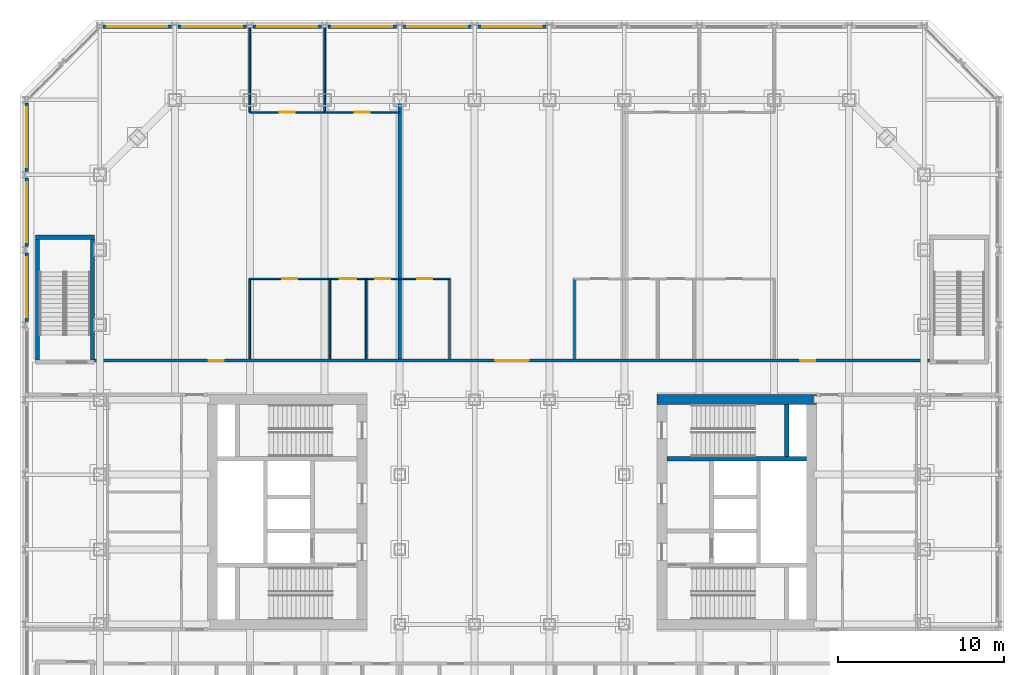
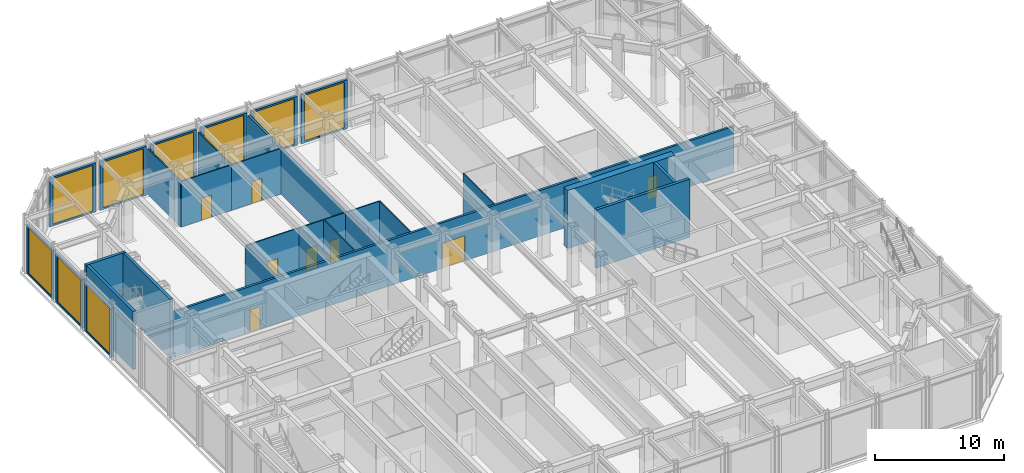
# One storey, part 14 of 19: 28 walls, 9 doors, 9 windows, 18 openings.
"""IFC4 building model written with IfcOpenShell, lengths in metres."""

from ifc_helpers import new_model, si_unit, direction, frame, frame_2d, origin, place, context, subcontext, project, spatial, rectangle, extrude, material, layer, layer_set, type_object, element, fill, save


model = new_model("IFC4")

# Units and contexts
model_context = context("Model", 3, precision=1e-05, world=origin(), true_north=direction((0.0, 1.0)))
body_context = subcontext(model_context, "Body", "Model", "MODEL_VIEW")
ifc_project = project(units=[si_unit("LENGTHUNIT", "METRE"), si_unit("AREAUNIT", "SQUARE_METRE"), si_unit("VOLUMEUNIT", "CUBIC_METRE"), si_unit("PLANEANGLEUNIT", "RADIAN"), si_unit("MASSUNIT", "GRAM", prefix="KILO")], contexts=[model_context])

# Site, building, storey
site_placement = place(None, origin())
site = spatial("IfcSite", under=ifc_project, at=site_placement, CompositionType="ELEMENT")
building_placement = place(site_placement, origin())
building = spatial("IfcBuilding", under=site, at=building_placement, Name="Msasa Ring Tower", CompositionType="ELEMENT")
storey_placement = place(building_placement, frame((0.0, 0.0, 16.0)))
storey = spatial("IfcBuildingStorey", under=building, at=storey_placement, Name="L03", CompositionType="ELEMENT", Elevation=16.0)

# Walls
ifc_material_1 = material(Name="Concrete C60/75", Category="concrete")
ifc_layer_1 = layer(ifc_material_1, 0.60009765625)
ifc_layer_set_1 = layer_set([ifc_layer_1], Name="CW1 CORE WALL 600")
wall_type_1 = type_object("IfcWallType", Name="CW1 CORE WALL 600", PredefinedType="SHEAR", material=ifc_layer_set_1)
wall_1_placement = place(storey_placement, frame((8.699951171875, 6.75, 0.0), z_axis=(0.0, 0.0, 1.0), x_axis=(1.0, 0.0, 0.0)))
element("IfcWall", 1, at=wall_1_placement, inside=storey, type_object=wall_type_1, Name="E core wall N L03", PredefinedType="SHEAR", context=body_context, shape_type="SweptSolid", body=[
    extrude(rectangle(XDim=9.60009765625, YDim=0.60009765625, at=frame_2d((4.800048828125, 0.0))), origin(), (0.0, 0.0, 1.0), 5.5),
])
ifc_material_2 = material(Name="Concrete C60/75", Category="concrete")
ifc_layer_2 = layer(ifc_material_2, 0.25)
ifc_layer_set_2 = layer_set([ifc_layer_2], Name="CW4 CORE INNER WALL 250")
wall_type_2 = type_object("IfcWallType", Name="CW4 CORE INNER WALL 250", PredefinedType="SHEAR", material=ifc_layer_set_2)
wall_2_placement = place(storey_placement, frame((9.300048828125, 3.199951171875, 0.0), z_axis=(0.0, 0.0, 1.0), x_axis=(1.0, 0.0, 0.0)))
element("IfcWall", 2, at=wall_2_placement, inside=storey, type_object=wall_type_2, Name="E core wall STAIRB L03", PredefinedType="SHEAR", context=body_context, shape_type="SweptSolid", body=[
    extrude(rectangle(XDim=8.39990234375, YDim=0.25, at=frame_2d((4.199951171875, 0.0))), origin(), (0.0, 0.0, 1.0), 5.5),
])
wall_3_placement = place(storey_placement, frame((16.5, 3.324951171875, 0.0), z_axis=(0.0, 0.0, 1.0), x_axis=(0.0, 1.0, 0.0)))
element("IfcWall", 3, at=wall_3_placement, inside=storey, type_object=wall_type_2, Name="E core wall RISERB L03", PredefinedType="SHEAR", context=body_context, shape_type="SweptSolid", body=[
    extrude(rectangle(XDim=3.125, YDim=0.25, at=frame_2d((1.5625, 0.0))), origin(), (0.0, 0.0, 1.0), 5.5),
])

# Wall, opening, window
ifc_material_3 = material(Name="Terracotta rainscreen on blockwork", Category="masonry")
ifc_layer_3 = layer(ifc_material_3, 0.199951171875)
ifc_layer_set_3 = layer_set([ifc_layer_3], Name="FW2 TERRACOTTA PODIUM BAY WALL 200")
wall_type_3 = type_object("IfcWallType", Name="FW2 TERRACOTTA PODIUM BAY WALL 200", PredefinedType="SOLIDWALL", material=ifc_layer_set_3)
wall_4_placement = place(storey_placement, frame((-24.562255859375, 29.14990234375, 0.0), z_axis=(0.0, 0.0, 1.0), x_axis=(1.0, 0.0, 0.0)))
wall_4 = element("IfcWall", 4, at=wall_4_placement, inside=storey, type_object=wall_type_3, Name="Podium bay wall N L03 26", PredefinedType="SOLIDWALL", context=body_context, shape_type="SweptSolid", body=[
    extrude(rectangle(XDim=4.12451171875, YDim=0.199951171875, at=frame_2d((2.062255859375, 0.0))), origin(), (0.0, 0.0, 1.0), 4.6328125),
])
opening_1_placement = place(wall_4_placement, frame((0.26220703125, 0.0, 0.14990234375)))
opening_1 = element("IfcOpeningElement", 5, at=opening_1_placement, cuts=wall_4, Name="Opening SF4", PredefinedType="OPENING", context=body_context, shape_type="SweptSolid", body=[
    extrude(rectangle(XDim=3.60009765625, YDim=4.3330078125, at=frame_2d((1.800048828125, 2.16650390625))), frame((0.0, 0.10986328125, 0.0), z_axis=(0.0, -1.0, 0.0), x_axis=(1.0, 0.0, 0.0)), (0.0, 0.0, 1.0), 0.219970703125),
])
ifc_material_4 = material(Name="Aluminium frame with clear glass", Category="aluminium")
window_type = type_object("IfcWindowType", Name="SF4 SHOPFRONT GLAZING 3600x4333", PartitioningType="SINGLE_PANEL", PredefinedType="WINDOW", material=ifc_material_4)
window_1_placement = place(opening_1_placement, origin())
window_1 = element("IfcWindow", 6, at=window_1_placement, inside=storey, type_object=window_type, Name="Shopfront glazing N L03 26", OverallHeight=4.3330078125, OverallWidth=3.60009765625, PartitioningType="SINGLE_PANEL", PredefinedType="WINDOW", context=body_context, shape_type="SweptSolid", body=[
    extrude(rectangle(XDim=3.60009765625, YDim=4.3330078125, at=frame_2d((1.800048828125, 2.16650390625))), frame((0.0, 0.030029296875, 0.0), z_axis=(0.0, -1.0, 0.0), x_axis=(1.0, 0.0, 0.0)), (0.0, 0.0, 1.0), 0.06005859375),
])
fill(opening_1, window_1)

wall_5_placement = place(storey_placement, frame((-20.062255859375, 29.14990234375, 0.0), z_axis=(0.0, 0.0, 1.0), x_axis=(1.0, 0.0, 0.0)))
wall_5 = element("IfcWall", 7, at=wall_5_placement, inside=storey, type_object=wall_type_3, Name="Podium bay wall N L03 27", PredefinedType="SOLIDWALL", context=body_context, shape_type="SweptSolid", body=[
    extrude(rectangle(XDim=4.124755859375, YDim=0.199951171875, at=frame_2d((2.0625, 0.0))), origin(), (0.0, 0.0, 1.0), 4.6328125),
])
opening_2_placement = place(wall_5_placement, frame((0.26220703125, 0.0, 0.14990234375)))
opening_2 = element("IfcOpeningElement", 8, at=opening_2_placement, cuts=wall_5, Name="Opening SF4", PredefinedType="OPENING", context=body_context, shape_type="SweptSolid", body=[
    extrude(rectangle(XDim=3.60009765625, YDim=4.3330078125, at=frame_2d((1.800048828125, 2.16650390625))), frame((0.0, 0.10986328125, 0.0), z_axis=(0.0, -1.0, 0.0), x_axis=(1.0, 0.0, 0.0)), (0.0, 0.0, 1.0), 0.219970703125),
])
window_2_placement = place(opening_2_placement, origin())
window_2 = element("IfcWindow", 9, at=window_2_placement, inside=storey, type_object=window_type, Name="Shopfront glazing N L03 27", OverallHeight=4.3330078125, OverallWidth=3.60009765625, PartitioningType="SINGLE_PANEL", PredefinedType="WINDOW", context=body_context, shape_type="SweptSolid", body=[
    extrude(rectangle(XDim=3.60009765625, YDim=4.3330078125, at=frame_2d((1.800048828125, 2.16650390625))), frame((0.0, 0.030029296875, 0.0), z_axis=(0.0, -1.0, 0.0), x_axis=(1.0, 0.0, 0.0)), (0.0, 0.0, 1.0), 0.06005859375),
])
fill(opening_2, window_2)

wall_6_placement = place(storey_placement, frame((-15.5625, 29.14990234375, 0.0), z_axis=(0.0, 0.0, 1.0), x_axis=(1.0, 0.0, 0.0)))
wall_6 = element("IfcWall", 10, at=wall_6_placement, inside=storey, type_object=wall_type_3, Name="Podium bay wall N L03 28", PredefinedType="SOLIDWALL", context=body_context, shape_type="SweptSolid", body=[
    extrude(rectangle(XDim=4.125, YDim=0.199951171875, at=frame_2d((2.0625, 0.0))), origin(), (0.0, 0.0, 1.0), 4.6328125),
])
opening_3_placement = place(wall_6_placement, frame((0.262451171875, 0.0, 0.14990234375)))
opening_3 = element("IfcOpeningElement", 11, at=opening_3_placement, cuts=wall_6, Name="Opening SF4", PredefinedType="OPENING", context=body_context, shape_type="SweptSolid", body=[
    extrude(rectangle(XDim=3.60009765625, YDim=4.3330078125, at=frame_2d((1.800048828125, 2.16650390625))), frame((0.0, 0.10986328125, 0.0), z_axis=(0.0, -1.0, 0.0), x_axis=(1.0, 0.0, 0.0)), (0.0, 0.0, 1.0), 0.219970703125),
])
window_3_placement = place(opening_3_placement, origin())
window_3 = element("IfcWindow", 12, at=window_3_placement, inside=storey, type_object=window_type, Name="Shopfront glazing N L03 28", OverallHeight=4.3330078125, OverallWidth=3.60009765625, PartitioningType="SINGLE_PANEL", PredefinedType="WINDOW", context=body_context, shape_type="SweptSolid", body=[
    extrude(rectangle(XDim=3.60009765625, YDim=4.3330078125, at=frame_2d((1.800048828125, 2.16650390625))), frame((0.0, 0.030029296875, 0.0), z_axis=(0.0, -1.0, 0.0), x_axis=(1.0, 0.0, 0.0)), (0.0, 0.0, 1.0), 0.06005859375),
])
fill(opening_3, window_3)

wall_7_placement = place(storey_placement, frame((-11.0625, 29.14990234375, 0.0), z_axis=(0.0, 0.0, 1.0), x_axis=(1.0, 0.0, 0.0)))
wall_7 = element("IfcWall", 13, at=wall_7_placement, inside=storey, type_object=wall_type_3, Name="Podium bay wall N L03 29", PredefinedType="SOLIDWALL", context=body_context, shape_type="SweptSolid", body=[
    extrude(rectangle(XDim=4.125, YDim=0.199951171875, at=frame_2d((2.0625, 0.0))), origin(), (0.0, 0.0, 1.0), 4.6328125),
])
opening_4_placement = place(wall_7_placement, frame((0.262451171875, 0.0, 0.14990234375)))
opening_4 = element("IfcOpeningElement", 14, at=opening_4_placement, cuts=wall_7, Name="Opening SF4", PredefinedType="OPENING", context=body_context, shape_type="SweptSolid", body=[
    extrude(rectangle(XDim=3.60009765625, YDim=4.3330078125, at=frame_2d((1.800048828125, 2.16650390625))), frame((0.0, 0.10986328125, 0.0), z_axis=(0.0, -1.0, 0.0), x_axis=(1.0, 0.0, 0.0)), (0.0, 0.0, 1.0), 0.219970703125),
])
window_4_placement = place(opening_4_placement, origin())
window_4 = element("IfcWindow", 15, at=window_4_placement, inside=storey, type_object=window_type, Name="Shopfront glazing N L03 29", OverallHeight=4.3330078125, OverallWidth=3.60009765625, PartitioningType="SINGLE_PANEL", PredefinedType="WINDOW", context=body_context, shape_type="SweptSolid", body=[
    extrude(rectangle(XDim=3.60009765625, YDim=4.3330078125, at=frame_2d((1.800048828125, 2.16650390625))), frame((0.0, 0.030029296875, 0.0), z_axis=(0.0, -1.0, 0.0), x_axis=(1.0, 0.0, 0.0)), (0.0, 0.0, 1.0), 0.06005859375),
])
fill(opening_4, window_4)

wall_8_placement = place(storey_placement, frame((-6.5625, 29.14990234375, 0.0), z_axis=(0.0, 0.0, 1.0), x_axis=(1.0, 0.0, 0.0)))
wall_8 = element("IfcWall", 16, at=wall_8_placement, inside=storey, type_object=wall_type_3, Name="Podium bay wall N L03 30", PredefinedType="SOLIDWALL", context=body_context, shape_type="SweptSolid", body=[
    extrude(rectangle(XDim=4.124755859375, YDim=0.199951171875, at=frame_2d((2.0625, 0.0))), origin(), (0.0, 0.0, 1.0), 4.6328125),
])
opening_5_placement = place(wall_8_placement, frame((0.262451171875, 0.0, 0.14990234375)))
opening_5 = element("IfcOpeningElement", 17, at=opening_5_placement, cuts=wall_8, Name="Opening SF4", PredefinedType="OPENING", context=body_context, shape_type="SweptSolid", body=[
    extrude(rectangle(XDim=3.60009765625, YDim=4.3330078125, at=frame_2d((1.800048828125, 2.16650390625))), frame((0.0, 0.10986328125, 0.0), z_axis=(0.0, -1.0, 0.0), x_axis=(1.0, 0.0, 0.0)), (0.0, 0.0, 1.0), 0.219970703125),
])
window_5_placement = place(opening_5_placement, origin())
window_5 = element("IfcWindow", 18, at=window_5_placement, inside=storey, type_object=window_type, Name="Shopfront glazing N L03 30", OverallHeight=4.3330078125, OverallWidth=3.60009765625, PartitioningType="SINGLE_PANEL", PredefinedType="WINDOW", context=body_context, shape_type="SweptSolid", body=[
    extrude(rectangle(XDim=3.60009765625, YDim=4.3330078125, at=frame_2d((1.800048828125, 2.16650390625))), frame((0.0, 0.030029296875, 0.0), z_axis=(0.0, -1.0, 0.0), x_axis=(1.0, 0.0, 0.0)), (0.0, 0.0, 1.0), 0.06005859375),
])
fill(opening_5, window_5)

wall_9_placement = place(storey_placement, frame((-2.062255859375, 29.14990234375, 0.0), z_axis=(0.0, 0.0, 1.0), x_axis=(1.0, 0.0, 0.0)))
wall_9 = element("IfcWall", 19, at=wall_9_placement, inside=storey, type_object=wall_type_3, Name="Podium bay wall N L03 31", PredefinedType="SOLIDWALL", context=body_context, shape_type="SweptSolid", body=[
    extrude(rectangle(XDim=4.12451171875, YDim=0.199951171875, at=frame_2d((2.062255859375, 0.0))), origin(), (0.0, 0.0, 1.0), 4.6328125),
])
opening_6_placement = place(wall_9_placement, frame((0.26220703125, 0.0, 0.14990234375)))
opening_6 = element("IfcOpeningElement", 20, at=opening_6_placement, cuts=wall_9, Name="Opening SF4", PredefinedType="OPENING", context=body_context, shape_type="SweptSolid", body=[
    extrude(rectangle(XDim=3.60009765625, YDim=4.3330078125, at=frame_2d((1.800048828125, 2.16650390625))), frame((0.0, 0.10986328125, 0.0), z_axis=(0.0, -1.0, 0.0), x_axis=(1.0, 0.0, 0.0)), (0.0, 0.0, 1.0), 0.219970703125),
])
window_6_placement = place(opening_6_placement, origin())
window_6 = element("IfcWindow", 21, at=window_6_placement, inside=storey, type_object=window_type, Name="Shopfront glazing N L03 31", OverallHeight=4.3330078125, OverallWidth=3.60009765625, PartitioningType="SINGLE_PANEL", PredefinedType="WINDOW", context=body_context, shape_type="SweptSolid", body=[
    extrude(rectangle(XDim=3.60009765625, YDim=4.3330078125, at=frame_2d((1.800048828125, 2.16650390625))), frame((0.0, 0.030029296875, 0.0), z_axis=(0.0, -1.0, 0.0), x_axis=(1.0, 0.0, 0.0)), (0.0, 0.0, 1.0), 0.06005859375),
])
fill(opening_6, window_6)

wall_10_placement = place(storey_placement, frame((-29.14990234375, 11.4375, 0.0), z_axis=(0.0, 0.0, 1.0), x_axis=(0.0, 1.0, 0.0)))
wall_10 = element("IfcWall", 22, at=wall_10_placement, inside=storey, type_object=wall_type_3, Name="Podium bay wall W L03 47", PredefinedType="SOLIDWALL", context=body_context, shape_type="SweptSolid", body=[
    extrude(rectangle(XDim=4.125, YDim=0.199951171875, at=frame_2d((2.0625, 0.0))), origin(), (0.0, 0.0, 1.0), 4.6328125),
])
opening_7_placement = place(wall_10_placement, frame((0.262451171875, 0.0, 0.14990234375)))
opening_7 = element("IfcOpeningElement", 23, at=opening_7_placement, cuts=wall_10, Name="Opening SF4", PredefinedType="OPENING", context=body_context, shape_type="SweptSolid", body=[
    extrude(rectangle(XDim=3.60009765625, YDim=4.3330078125, at=frame_2d((1.800048828125, 2.16650390625))), frame((0.0, 0.10986328125, 0.0), z_axis=(0.0, -1.0, 0.0), x_axis=(1.0, 0.0, 0.0)), (0.0, 0.0, 1.0), 0.219970703125),
])
window_7_placement = place(opening_7_placement, origin())
window_7 = element("IfcWindow", 24, at=window_7_placement, inside=storey, type_object=window_type, Name="Shopfront glazing W L03 47", OverallHeight=4.3330078125, OverallWidth=3.60009765625, PartitioningType="SINGLE_PANEL", PredefinedType="WINDOW", context=body_context, shape_type="SweptSolid", body=[
    extrude(rectangle(XDim=3.60009765625, YDim=4.3330078125, at=frame_2d((1.800048828125, 2.16650390625))), frame((0.0, 0.030029296875, 0.0), z_axis=(0.0, -1.0, 0.0), x_axis=(1.0, 0.0, 0.0)), (0.0, 0.0, 1.0), 0.06005859375),
])
fill(opening_7, window_7)

wall_11_placement = place(storey_placement, frame((-29.14990234375, 15.9375, 0.0), z_axis=(0.0, 0.0, 1.0), x_axis=(0.0, 1.0, 0.0)))
wall_11 = element("IfcWall", 25, at=wall_11_placement, inside=storey, type_object=wall_type_3, Name="Podium bay wall W L03 48", PredefinedType="SOLIDWALL", context=body_context, shape_type="SweptSolid", body=[
    extrude(rectangle(XDim=4.124755859375, YDim=0.199951171875, at=frame_2d((2.0625, 0.0))), origin(), (0.0, 0.0, 1.0), 4.6328125),
])
opening_8_placement = place(wall_11_placement, frame((0.262451171875, 0.0, 0.14990234375)))
opening_8 = element("IfcOpeningElement", 26, at=opening_8_placement, cuts=wall_11, Name="Opening SF4", PredefinedType="OPENING", context=body_context, shape_type="SweptSolid", body=[
    extrude(rectangle(XDim=3.60009765625, YDim=4.3330078125, at=frame_2d((1.800048828125, 2.16650390625))), frame((0.0, 0.10986328125, 0.0), z_axis=(0.0, -1.0, 0.0), x_axis=(1.0, 0.0, 0.0)), (0.0, 0.0, 1.0), 0.219970703125),
])
window_8_placement = place(opening_8_placement, origin())
window_8 = element("IfcWindow", 27, at=window_8_placement, inside=storey, type_object=window_type, Name="Shopfront glazing W L03 48", OverallHeight=4.3330078125, OverallWidth=3.60009765625, PartitioningType="SINGLE_PANEL", PredefinedType="WINDOW", context=body_context, shape_type="SweptSolid", body=[
    extrude(rectangle(XDim=3.60009765625, YDim=4.3330078125, at=frame_2d((1.800048828125, 2.16650390625))), frame((0.0, 0.030029296875, 0.0), z_axis=(0.0, -1.0, 0.0), x_axis=(1.0, 0.0, 0.0)), (0.0, 0.0, 1.0), 0.06005859375),
])
fill(opening_8, window_8)

wall_12_placement = place(storey_placement, frame((-29.14990234375, 20.437744140625, 0.0), z_axis=(0.0, 0.0, 1.0), x_axis=(0.0, 1.0, 0.0)))
wall_12 = element("IfcWall", 28, at=wall_12_placement, inside=storey, type_object=wall_type_3, Name="Podium bay wall W L03 49", PredefinedType="SOLIDWALL", context=body_context, shape_type="SweptSolid", body=[
    extrude(rectangle(XDim=4.12451171875, YDim=0.199951171875, at=frame_2d((2.062255859375, 0.0))), origin(), (0.0, 0.0, 1.0), 4.6328125),
])
opening_9_placement = place(wall_12_placement, frame((0.26220703125, 0.0, 0.14990234375)))
opening_9 = element("IfcOpeningElement", 29, at=opening_9_placement, cuts=wall_12, Name="Opening SF4", PredefinedType="OPENING", context=body_context, shape_type="SweptSolid", body=[
    extrude(rectangle(XDim=3.60009765625, YDim=4.3330078125, at=frame_2d((1.800048828125, 2.16650390625))), frame((0.0, 0.10986328125, 0.0), z_axis=(0.0, -1.0, 0.0), x_axis=(1.0, 0.0, 0.0)), (0.0, 0.0, 1.0), 0.219970703125),
])
window_9_placement = place(opening_9_placement, origin())
window_9 = element("IfcWindow", 30, at=window_9_placement, inside=storey, type_object=window_type, Name="Shopfront glazing W L03 49", OverallHeight=4.3330078125, OverallWidth=3.60009765625, PartitioningType="SINGLE_PANEL", PredefinedType="WINDOW", context=body_context, shape_type="SweptSolid", body=[
    extrude(rectangle(XDim=3.60009765625, YDim=4.3330078125, at=frame_2d((1.800048828125, 2.16650390625))), frame((0.0, 0.030029296875, 0.0), z_axis=(0.0, -1.0, 0.0), x_axis=(1.0, 0.0, 0.0)), (0.0, 0.0, 1.0), 0.06005859375),
])
fill(opening_9, window_9)

# Wall, openings, doors
ifc_material_5 = material(Name="Concrete blockwork", Category="masonry")
ifc_layer_4 = layer(ifc_material_5, 0.199951171875)
ifc_layer_set_4 = layer_set([ifc_layer_4], Name="PT1 CORRIDOR WALL 200")
wall_type_4 = type_object("IfcWallType", Name="PT1 CORRIDOR WALL 200", PredefinedType="PARTITIONING", material=ifc_layer_set_4)
wall_13_placement = place(storey_placement, frame((-25.074951171875, 9.10009765625, 0.0), z_axis=(0.0, 0.0, 1.0), x_axis=(1.0, 0.0, 0.0)))
wall_13 = element("IfcWall", 31, at=wall_13_placement, inside=storey, type_object=wall_type_4, Name="Corridor wall L03-CORRN1", PredefinedType="PARTITIONING", context=body_context, shape_type="SweptSolid", body=[
    extrude(rectangle(XDim=50.14990234375, YDim=0.199951171875, at=frame_2d((25.074951171875, 0.0))), origin(), (0.0, 0.0, 1.0), 4.3291015625),
])
opening_10_placement = place(wall_13_placement, frame((6.85009765625, 0.0, 0.0)))
opening_10 = element("IfcOpeningElement", 32, at=opening_10_placement, cuts=wall_13, Name="Opening L03-013", PredefinedType="OPENING", context=body_context, shape_type="SweptSolid", body=[
    extrude(rectangle(XDim=0.89990234375, YDim=2.10009765625, at=frame_2d((0.449951171875, 1.050048828125))), frame((0.0, 0.10986328125, 0.0), z_axis=(0.0, -1.0, 0.0), x_axis=(1.0, 0.0, 0.0)), (0.0, 0.0, 1.0), 0.219970703125),
])
opening_11_placement = place(wall_13_placement, frame((24.074951171875, 0.0, 0.0)))
opening_11 = element("IfcOpeningElement", 33, at=opening_11_placement, cuts=wall_13, Name="Opening L03-014", PredefinedType="OPENING", context=body_context, shape_type="SweptSolid", body=[
    extrude(rectangle(XDim=2.0, YDim=2.39990234375, at=frame_2d((1.0, 1.199951171875))), frame((0.0, 0.10986328125, 0.0), z_axis=(0.0, -1.0, 0.0), x_axis=(1.0, 0.0, 0.0)), (0.0, 0.0, 1.0), 0.219970703125),
])
opening_12_placement = place(wall_13_placement, frame((42.39990234375, 0.0, 0.0)))
opening_12 = element("IfcOpeningElement", 34, at=opening_12_placement, cuts=wall_13, Name="Opening L03-015", PredefinedType="OPENING", context=body_context, shape_type="SweptSolid", body=[
    extrude(rectangle(XDim=0.89990234375, YDim=2.10009765625, at=frame_2d((0.449951171875, 1.050048828125))), frame((0.0, 0.10986328125, 0.0), z_axis=(0.0, -1.0, 0.0), x_axis=(1.0, 0.0, 0.0)), (0.0, 0.0, 1.0), 0.219970703125),
])
ifc_material_6 = material(Name="Timber door leaf in a steel frame", Category="steel")
door_type_1 = type_object("IfcDoorType", Name="D1 SINGLE DOOR TO CORRIDOR 900x2100", OperationType="SINGLE_SWING_LEFT", PredefinedType="DOOR", material=ifc_material_6)
door_1_placement = place(opening_10_placement, origin())
door_1 = element("IfcDoor", 35, at=door_1_placement, inside=storey, type_object=door_type_1, Name="Door L03-PDN0", OperationType="SINGLE_SWING_LEFT", OverallHeight=2.10009765625, OverallWidth=0.89990234375, PredefinedType="DOOR", context=body_context, shape_type="SweptSolid", body=[
    extrude(rectangle(XDim=0.89990234375, YDim=2.10009765625, at=frame_2d((0.449951171875, 1.050048828125))), frame((0.0, 0.02490234375, 0.0), z_axis=(0.0, -1.0, 0.0), x_axis=(1.0, 0.0, 0.0)), (0.0, 0.0, 1.0), 0.050048828125),
])
fill(opening_10, door_1)
door_2_placement = place(opening_12_placement, origin())
door_2 = element("IfcDoor", 36, at=door_2_placement, inside=storey, type_object=door_type_1, Name="Door L03-PDN2", OperationType="SINGLE_SWING_RIGHT", OverallHeight=2.10009765625, OverallWidth=0.89990234375, PredefinedType="DOOR", context=body_context, shape_type="SweptSolid", body=[
    extrude(rectangle(XDim=0.89990234375, YDim=2.10009765625, at=frame_2d((0.449951171875, 1.050048828125))), frame((0.0, 0.02490234375, 0.0), z_axis=(0.0, -1.0, 0.0), x_axis=(1.0, 0.0, 0.0)), (0.0, 0.0, 1.0), 0.050048828125),
])
fill(opening_12, door_2)
ifc_material_7 = material(Name="Timber door leaf in a steel frame", Category="steel")
door_type_2 = type_object("IfcDoorType", Name="D17 BALLROOM PAIR OF DOORS 2000x2400", OperationType="SINGLE_SWING_LEFT", PredefinedType="DOOR", material=ifc_material_7)
door_3_placement = place(opening_11_placement, origin())
door_3 = element("IfcDoor", 37, at=door_3_placement, inside=storey, type_object=door_type_2, Name="Door L03-PDN1", OperationType="SINGLE_SWING_LEFT", OverallHeight=2.39990234375, OverallWidth=2.0, PredefinedType="DOOR", context=body_context, shape_type="SweptSolid", body=[
    extrude(rectangle(XDim=2.0, YDim=2.39990234375, at=frame_2d((1.0, 1.199951171875))), frame((0.0, 0.02490234375, 0.0), z_axis=(0.0, -1.0, 0.0), x_axis=(1.0, 0.0, 0.0)), (0.0, 0.0, 1.0), 0.050048828125),
])
fill(opening_11, door_3)

ifc_material_8 = material(Name="Gypsum board on steel studs", Category="steel")
ifc_layer_5 = layer(ifc_material_8, 0.10009765625)
ifc_layer_set_5 = layer_set([ifc_layer_5], Name="PT2 STUD PARTITION 100")
wall_type_5 = type_object("IfcWallType", Name="PT2 STUD PARTITION 100", PredefinedType="PARTITIONING", material=ifc_layer_set_5)
wall_14_placement = place(storey_placement, frame((-15.75, 14.0, 0.0), z_axis=(0.0, 0.0, 1.0), x_axis=(1.0, 0.0, 0.0)))
wall_14 = element("IfcWall", 38, at=wall_14_placement, inside=storey, type_object=wall_type_5, Name="Partition L03-PDN0BY", PredefinedType="PARTITIONING", context=body_context, shape_type="SweptSolid", body=[
    extrude(rectangle(XDim=9.0, YDim=0.10009765625, at=frame_2d((4.5, 0.0))), origin(), (0.0, 0.0, 1.0), 4.3291015625),
])
opening_13_placement = place(wall_14_placement, frame((1.949951171875, 0.0, 0.0)))
opening_13 = element("IfcOpeningElement", 39, at=opening_13_placement, cuts=wall_14, Name="Opening L03-005", PredefinedType="OPENING", context=body_context, shape_type="SweptSolid", body=[
    extrude(rectangle(XDim=0.89990234375, YDim=2.10009765625, at=frame_2d((0.449951171875, 1.050048828125))), frame((0.0, 0.06005859375, 0.0), z_axis=(0.0, -1.0, 0.0), x_axis=(1.0, 0.0, 0.0)), (0.0, 0.0, 1.0), 0.1201171875),
])
opening_14_placement = place(wall_14_placement, frame((5.39990234375, 0.0, 0.0)))
opening_14 = element("IfcOpeningElement", 40, at=opening_14_placement, cuts=wall_14, Name="Opening L03-006", PredefinedType="OPENING", context=body_context, shape_type="SweptSolid", body=[
    extrude(rectangle(XDim=1.0, YDim=2.10009765625, at=frame_2d((0.5, 1.050048828125))), frame((0.0, 0.06005859375, 0.0), z_axis=(0.0, -1.0, 0.0), x_axis=(1.0, 0.0, 0.0)), (0.0, 0.0, 1.0), 0.1201171875),
])
opening_15_placement = place(wall_14_placement, frame((7.550048828125, 0.0, 0.0)))
opening_15 = element("IfcOpeningElement", 41, at=opening_15_placement, cuts=wall_14, Name="Opening L03-007", PredefinedType="OPENING", context=body_context, shape_type="SweptSolid", body=[
    extrude(rectangle(XDim=0.89990234375, YDim=2.10009765625, at=frame_2d((0.449951171875, 1.050048828125))), frame((0.0, 0.06005859375, 0.0), z_axis=(0.0, -1.0, 0.0), x_axis=(1.0, 0.0, 0.0)), (0.0, 0.0, 1.0), 0.1201171875),
])
ifc_material_9 = material(Name="Timber door leaf in a steel frame", Category="steel")
door_type_3 = type_object("IfcDoorType", Name="D22 INTERNAL HALL DOOR 900x2100", OperationType="SINGLE_SWING_LEFT", PredefinedType="DOOR", material=ifc_material_9)
door_4_placement = place(opening_13_placement, origin())
door_4 = element("IfcDoor", 42, at=door_4_placement, inside=storey, type_object=door_type_3, Name="Door L03-PDN0B0", OperationType="SINGLE_SWING_LEFT", OverallHeight=2.10009765625, OverallWidth=0.89990234375, PredefinedType="DOOR", context=body_context, shape_type="SweptSolid", body=[
    extrude(rectangle(XDim=0.89990234375, YDim=2.10009765625, at=frame_2d((0.449951171875, 1.050048828125))), frame((0.0, 0.02490234375, 0.0), z_axis=(0.0, -1.0, 0.0), x_axis=(1.0, 0.0, 0.0)), (0.0, 0.0, 1.0), 0.050048828125),
])
fill(opening_13, door_4)
door_5_placement = place(opening_15_placement, origin())
door_5 = element("IfcDoor", 43, at=door_5_placement, inside=storey, type_object=door_type_3, Name="Door L03-PDN0B2", OperationType="SINGLE_SWING_RIGHT", OverallHeight=2.10009765625, OverallWidth=0.89990234375, PredefinedType="DOOR", context=body_context, shape_type="SweptSolid", body=[
    extrude(rectangle(XDim=0.89990234375, YDim=2.10009765625, at=frame_2d((0.449951171875, 1.050048828125))), frame((0.0, 0.02490234375, 0.0), z_axis=(0.0, -1.0, 0.0), x_axis=(1.0, 0.0, 0.0)), (0.0, 0.0, 1.0), 0.050048828125),
])
fill(opening_15, door_5)
ifc_material_10 = material(Name="Timber door leaf in a steel frame", Category="steel")
door_type_4 = type_object("IfcDoorType", Name="D27 INTERNAL STORE DOOR 1000x2100", OperationType="SINGLE_SWING_LEFT", PredefinedType="DOOR", material=ifc_material_10)
door_6_placement = place(opening_14_placement, origin())
door_6 = element("IfcDoor", 44, at=door_6_placement, inside=storey, type_object=door_type_4, Name="Door L03-PDN0B1", OperationType="SINGLE_SWING_RIGHT", OverallHeight=2.10009765625, OverallWidth=1.0, PredefinedType="DOOR", context=body_context, shape_type="SweptSolid", body=[
    extrude(rectangle(XDim=1.0, YDim=2.10009765625, at=frame_2d((0.5, 1.050048828125))), frame((0.0, 0.02490234375, 0.0), z_axis=(0.0, -1.0, 0.0), x_axis=(1.0, 0.0, 0.0)), (0.0, 0.0, 1.0), 0.050048828125),
])
fill(opening_14, door_6)

# Walls
for number, where, z_axis, x_axis, name in (
    (45, (-15.75, 9.199951171875, 0.0), (0.0, 0.0, 1.0), (0.0, 1.0, 0.0), "Partition L03-PDN0BX-15.75"),
    (46, (-10.949951171875, 9.199951171875, 0.0), (0.0, 0.0, 1.0), (0.0, 1.0, 0.0), "Partition L03-PDN0BX-10.95"),
    (47, (-8.75, 9.199951171875, 0.0), (0.0, 0.0, 1.0), (0.0, 1.0, 0.0), "Partition L03-PDN0BX-8.75"),
):
    element("IfcWall", number, at=place(storey_placement, frame(where, z_axis=z_axis, x_axis=x_axis)), inside=storey, type_object=wall_type_5, Name=name, PredefinedType="PARTITIONING", context=body_context, shape_type="SweptSolid", body=[
        extrude(rectangle(XDim=4.800048828125, YDim=0.10009765625, at=frame_2d((2.39990234375, 0.0))), origin(), (0.0, 0.0, 1.0), 4.3291015625),
    ])
for number, where, z_axis, x_axis, name in (
    (48, (-15.75, 24.0, 0.0), (0.0, 0.0, 1.0), (0.0, 1.0, 0.0), "Partition L03-PDN0FX-15.75"),
    (49, (-11.25, 24.0, 0.0), (0.0, 0.0, 1.0), (0.0, 1.0, 0.0), "Partition L03-PDN0FX-11.25"),
):
    element("IfcWall", number, at=place(storey_placement, frame(where, z_axis=z_axis, x_axis=x_axis)), inside=storey, type_object=wall_type_5, Name=name, PredefinedType="PARTITIONING", context=body_context, shape_type="SweptSolid", body=[
        extrude(rectangle(XDim=5.0888671875, YDim=0.10009765625, at=frame_2d((2.54443359375, 0.0))), origin(), (0.0, 0.0, 1.0), 4.3291015625),
    ])

# Wall, opening, door
wall_15_placement = place(storey_placement, frame((-15.75, 24.0, 0.0), z_axis=(0.0, 0.0, 1.0), x_axis=(1.0, 0.0, 0.0)))
wall_15 = element("IfcWall", 50, at=wall_15_placement, inside=storey, type_object=wall_type_5, Name="Partition L03-PDN0FY0", PredefinedType="PARTITIONING", context=body_context, shape_type="SweptSolid", body=[
    extrude(rectangle(XDim=4.5, YDim=0.10009765625, at=frame_2d((2.25, 0.0))), origin(), (0.0, 0.0, 1.0), 4.3291015625),
])
opening_16_placement = place(wall_15_placement, frame((1.800048828125, 0.0, 0.0)))
opening_16 = element("IfcOpeningElement", 51, at=opening_16_placement, cuts=wall_15, Name="Opening L03-001", PredefinedType="OPENING", context=body_context, shape_type="SweptSolid", body=[
    extrude(rectangle(XDim=0.89990234375, YDim=2.10009765625, at=frame_2d((0.449951171875, 1.050048828125))), frame((0.0, 0.06005859375, 0.0), z_axis=(0.0, -1.0, 0.0), x_axis=(1.0, 0.0, 0.0)), (0.0, 0.0, 1.0), 0.1201171875),
])
door_7_placement = place(opening_16_placement, origin())
door_7 = element("IfcDoor", 52, at=door_7_placement, inside=storey, type_object=door_type_3, Name="Door L03-PDN0F0", OperationType="SINGLE_SWING_LEFT", OverallHeight=2.10009765625, OverallWidth=0.89990234375, PredefinedType="DOOR", context=body_context, shape_type="SweptSolid", body=[
    extrude(rectangle(XDim=0.89990234375, YDim=2.10009765625, at=frame_2d((0.449951171875, 1.050048828125))), frame((0.0, 0.02490234375, 0.0), z_axis=(0.0, -1.0, 0.0), x_axis=(1.0, 0.0, 0.0)), (0.0, 0.0, 1.0), 0.050048828125),
])
fill(opening_16, door_7)

wall_16_placement = place(storey_placement, frame((-11.25, 24.0, 0.0), z_axis=(0.0, 0.0, 1.0), x_axis=(1.0, 0.0, 0.0)))
wall_16 = element("IfcWall", 53, at=wall_16_placement, inside=storey, type_object=wall_type_5, Name="Partition L03-PDN0FY1", PredefinedType="PARTITIONING", context=body_context, shape_type="SweptSolid", body=[
    extrude(rectangle(XDim=4.5, YDim=0.10009765625, at=frame_2d((2.25, 0.0))), origin(), (0.0, 0.0, 1.0), 4.3291015625),
])
opening_17_placement = place(wall_16_placement, frame((1.800048828125, 0.0, 0.0)))
opening_17 = element("IfcOpeningElement", 54, at=opening_17_placement, cuts=wall_16, Name="Opening L03-002", PredefinedType="OPENING", context=body_context, shape_type="SweptSolid", body=[
    extrude(rectangle(XDim=0.89990234375, YDim=2.10009765625, at=frame_2d((0.449951171875, 1.050048828125))), frame((0.0, 0.06005859375, 0.0), z_axis=(0.0, -1.0, 0.0), x_axis=(1.0, 0.0, 0.0)), (0.0, 0.0, 1.0), 0.1201171875),
])
door_8_placement = place(opening_17_placement, origin())
door_8 = element("IfcDoor", 55, at=door_8_placement, inside=storey, type_object=door_type_3, Name="Door L03-PDN0F1", OperationType="SINGLE_SWING_LEFT", OverallHeight=2.10009765625, OverallWidth=0.89990234375, PredefinedType="DOOR", context=body_context, shape_type="SweptSolid", body=[
    extrude(rectangle(XDim=0.89990234375, YDim=2.10009765625, at=frame_2d((0.449951171875, 1.050048828125))), frame((0.0, 0.02490234375, 0.0), z_axis=(0.0, -1.0, 0.0), x_axis=(1.0, 0.0, 0.0)), (0.0, 0.0, 1.0), 0.050048828125),
])
fill(opening_17, door_8)

wall_17_placement = place(storey_placement, frame((-6.75, 14.0, 0.0), z_axis=(0.0, 0.0, 1.0), x_axis=(1.0, 0.0, 0.0)))
wall_17 = element("IfcWall", 56, at=wall_17_placement, inside=storey, type_object=wall_type_5, Name="Partition L03-PDN1BY", PredefinedType="PARTITIONING", context=body_context, shape_type="SweptSolid", body=[
    extrude(rectangle(XDim=3.0, YDim=0.10009765625, at=frame_2d((1.5, 0.0))), origin(), (0.0, 0.0, 1.0), 4.3291015625),
])
opening_18_placement = place(wall_17_placement, frame((1.050048828125, 0.0, 0.0)))
opening_18 = element("IfcOpeningElement", 57, at=opening_18_placement, cuts=wall_17, Name="Opening L03-008", PredefinedType="OPENING", context=body_context, shape_type="SweptSolid", body=[
    extrude(rectangle(XDim=0.89990234375, YDim=2.10009765625, at=frame_2d((0.449951171875, 1.050048828125))), frame((0.0, 0.06005859375, 0.0), z_axis=(0.0, -1.0, 0.0), x_axis=(1.0, 0.0, 0.0)), (0.0, 0.0, 1.0), 0.1201171875),
])
door_9_placement = place(opening_18_placement, origin())
door_9 = element("IfcDoor", 58, at=door_9_placement, inside=storey, type_object=door_type_3, Name="Door L03-PDN1B0", OperationType="SINGLE_SWING_LEFT", OverallHeight=2.10009765625, OverallWidth=0.89990234375, PredefinedType="DOOR", context=body_context, shape_type="SweptSolid", body=[
    extrude(rectangle(XDim=0.89990234375, YDim=2.10009765625, at=frame_2d((0.449951171875, 1.050048828125))), frame((0.0, 0.02490234375, 0.0), z_axis=(0.0, -1.0, 0.0), x_axis=(1.0, 0.0, 0.0)), (0.0, 0.0, 1.0), 0.050048828125),
])
fill(opening_18, door_9)

# Walls
for number, where, z_axis, x_axis, name in (
    (59, (-3.75, 9.199951171875, 0.0), (0.0, 0.0, 1.0), (0.0, 1.0, 0.0), "Partition L03-PDN1BX-3.75"),
    (60, (3.75, 9.199951171875, 0.0), (0.0, 0.0, 1.0), (0.0, 1.0, 0.0), "Partition L03-PDN1BX+3.75"),
):
    element("IfcWall", number, at=place(storey_placement, frame(where, z_axis=z_axis, x_axis=x_axis)), inside=storey, type_object=wall_type_5, Name=name, PredefinedType="PARTITIONING", context=body_context, shape_type="SweptSolid", body=[
        extrude(rectangle(XDim=4.800048828125, YDim=0.10009765625, at=frame_2d((2.39990234375, 0.0))), origin(), (0.0, 0.0, 1.0), 4.3291015625),
    ])
ifc_material_11 = material(Name="Dense concrete blockwork, plastered both faces", Category="masonry")
ifc_layer_6 = layer(ifc_material_11, 0.25)
ifc_layer_set_6 = layer_set([ifc_layer_6], Name="PT3 APARTMENT SEPARATING WALL 250")
wall_type_6 = type_object("IfcWallType", Name="PT3 APARTMENT SEPARATING WALL 250", PredefinedType="PARTITIONING", material=ifc_layer_set_6)
wall_18_placement = place(storey_placement, frame((-6.75, 9.199951171875, 0.0), z_axis=(0.0, 0.0, 1.0), x_axis=(0.0, 1.0, 0.0)))
element("IfcWall", 61, at=wall_18_placement, inside=storey, type_object=wall_type_6, Name="Party wall L03-PWN-6.75", PredefinedType="PARTITIONING", context=body_context, shape_type="SweptSolid", body=[
    extrude(rectangle(XDim=19.888916015625, YDim=0.199951171875, at=frame_2d((9.9443359375, 0.0))), origin(), (0.0, 0.0, 1.0), 4.3291015625),
])
ifc_material_12 = material(Name="Concrete C60/75", Category="concrete")
ifc_layer_7 = layer(ifc_material_12, 0.25)
ifc_layer_set_7 = layer_set([ifc_layer_7], Name="SW1 STAIR WALL 250")
wall_type_7 = type_object("IfcWallType", Name="SW1 STAIR WALL 250", PredefinedType="SHEAR", material=ifc_layer_set_7)
wall_19_placement = place(storey_placement, frame((-28.625, 16.5, 0.0), z_axis=(0.0, 0.0, 1.0), x_axis=(1.0, 0.0, 0.0)))
element("IfcWall", 62, at=wall_19_placement, inside=storey, type_object=wall_type_7, Name="Podium stair WN wall N L03", PredefinedType="SHEAR", context=body_context, shape_type="SweptSolid", body=[
    extrude(rectangle(XDim=3.550048828125, YDim=0.25, at=frame_2d((1.77490234375, 0.0))), origin(), (0.0, 0.0, 1.0), 5.5),
])
for number, where, z_axis, x_axis, name in (
    (63, (-28.5, 9.125, 0.0), (0.0, 0.0, 1.0), (0.0, 1.0, 0.0), "Podium stair WN wall W L03"),
    (64, (-25.199951171875, 9.125, 0.0), (0.0, 0.0, 1.0), (0.0, 1.0, 0.0), "Podium stair WN wall E L03"),
):
    element("IfcWall", number, at=place(storey_placement, frame(where, z_axis=z_axis, x_axis=x_axis)), inside=storey, type_object=wall_type_7, Name=name, PredefinedType="SHEAR", context=body_context, shape_type="SweptSolid", body=[
        extrude(rectangle(XDim=7.25, YDim=0.25, at=frame_2d((3.625, 0.0))), origin(), (0.0, 0.0, 1.0), 5.5),
    ])

save(model, "model.ifc")
